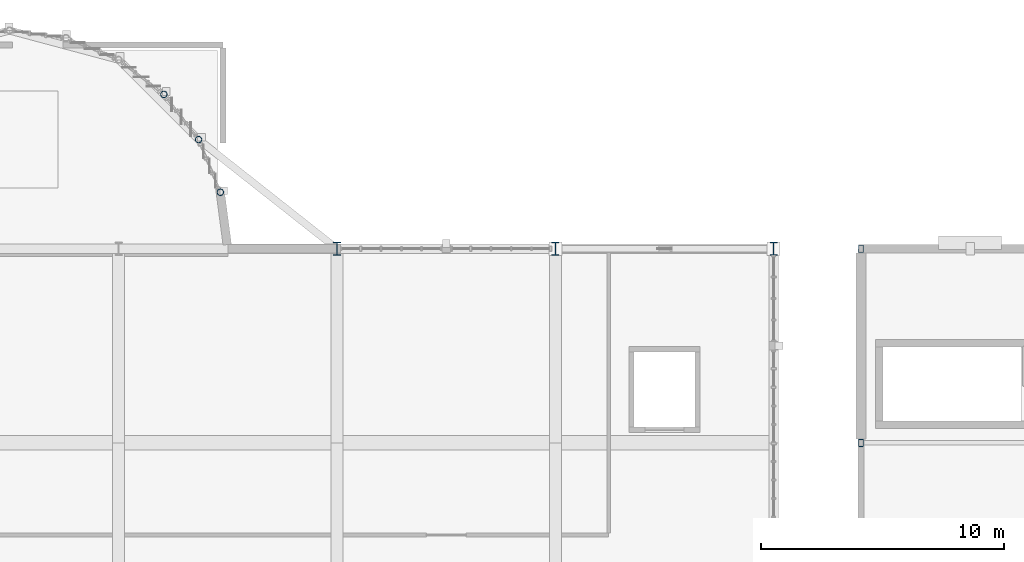
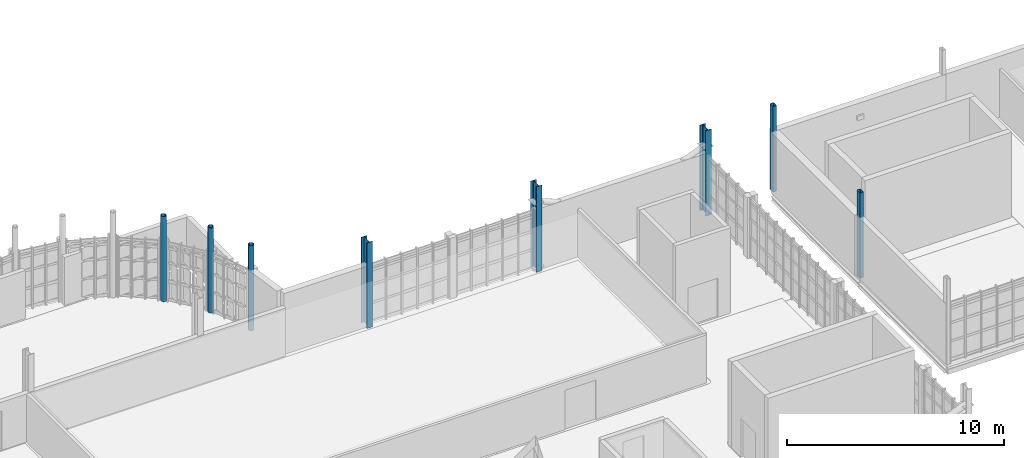
# One storey, part 7 of 128: 8 columns.
"""IFC4 building model written with IfcOpenShell, lengths in metres."""

from ifc_helpers import new_model, si_unit, direction, frame, origin, origin_2d, place, context, subcontext, project, spatial, hollow_rectangle, hollow_circle, i_section, extrude, material, material_profile, profile_set, type_object, element, save


model = new_model("IFC4")

# Units and contexts
model_context = context("Model", 3, precision=1e-05, world=origin(), true_north=direction((0.0, 1.0)))
body_context = subcontext(model_context, "Body", "Model", "MODEL_VIEW")
ifc_project = project(units=[si_unit("LENGTHUNIT", "METRE"), si_unit("AREAUNIT", "SQUARE_METRE"), si_unit("VOLUMEUNIT", "CUBIC_METRE"), si_unit("PLANEANGLEUNIT", "RADIAN"), si_unit("MASSUNIT", "GRAM", prefix="KILO")], contexts=[model_context])

# Site, building, storey
site_placement = place(None, origin())
site = spatial("IfcSite", under=ifc_project, at=site_placement, CompositionType="ELEMENT")
building_placement = place(site_placement, origin())
building = spatial("IfcBuilding", under=site, at=building_placement, Name="Serraforn Aerial Cableway Station", CompositionType="ELEMENT")
storey_placement = place(building_placement, frame((0.0, 0.0, 9.0)))
storey = spatial("IfcBuildingStorey", under=building, at=storey_placement, Name="L02", CompositionType="ELEMENT", Elevation=9.0)

# Columns
ifc_material = material(Name="Steel S355J2", Category="steel")
ifc_material_profile_1 = material_profile(ifc_material, hollow_circle(Radius=0.136474609375, WallThickness=0.012451171875, at=origin_2d()), Name="CHS 273.0x12.5")
ifc_profile_set_1 = profile_set([ifc_material_profile_1], Name="Steel S355J2")
column_type_1 = type_object("IfcColumnType", Name="COL-ST-CHS273", PredefinedType="COLUMN", material=ifc_profile_set_1)
for number, where, z_axis, x_axis, name in (
    (1, (65.464111328125, 48.364013671875, 0.0), (0.0, 0.0, 1.0), (1.0, 0.0, 0.0), "Apse Radial Column L02-9"),
    (2, (66.894287109375, 46.5, 0.0), (0.0, 0.0, 1.0), (1.0, 0.0, 0.0), "Apse Radial Column L02-10"),
    (3, (67.793212890625, 44.329345703125, 0.0), (0.0, 0.0, 1.0), (1.0, 0.0, 0.0), "Apse Radial Column L02-11"),
):
    element("IfcColumn", number, at=place(storey_placement, frame(where, z_axis=z_axis, x_axis=x_axis)), inside=storey, type_object=column_type_1, Name=name, PredefinedType="COLUMN", context=body_context, shape_type="SweptSolid", body=[
        extrude(hollow_circle(Radius=0.136474609375, WallThickness=0.012451171875, at=origin_2d()), origin(), (0.0, 0.0, 1.0), 4.800048828125),
    ])
ifc_material_profile_2 = material_profile(ifc_material, i_section(OverallWidth=0.300048828125, OverallDepth=0.550048828125, WebThickness=0.014892578125, FlangeThickness=0.029052734375, FilletRadius=0.027099609375, at=origin_2d()), Name="HEB 550")
ifc_profile_set_2 = profile_set([ifc_material_profile_2], Name="Steel S355J2")
column_type_2 = type_object("IfcColumnType", Name="COL-ST-HEB550", PredefinedType="COLUMN", material=ifc_profile_set_2)
for number, where, z_axis, x_axis, name in (
    (4, (72.60009765625, 42.0, 0.0), (0.0, 0.0, 1.0), (1.0, 0.0, 0.0), "Column CV L02 10-F"),
    (5, (81.60009765625, 42.0, 0.0), (0.0, 0.0, 1.0), (1.0, 0.0, 0.0), "Column CV L02 11-F"),
    (6, (90.60009765625, 42.0, 0.0), (0.0, 0.0, 1.0), (1.0, 0.0, 0.0), "Column CV L02 12-F"),
):
    element("IfcColumn", number, at=place(storey_placement, frame(where, z_axis=z_axis, x_axis=x_axis)), inside=storey, type_object=column_type_2, Name=name, PredefinedType="COLUMN", context=body_context, shape_type="SweptSolid", body=[
        extrude(i_section(OverallWidth=0.300048828125, OverallDepth=0.550048828125, WebThickness=0.014892578125, FlangeThickness=0.029052734375, FilletRadius=0.027099609375, at=origin_2d()), origin(), (0.0, 0.0, 1.0), 4.800048828125),
    ])
ifc_material_profile_3 = material_profile(ifc_material, hollow_rectangle(XDim=0.199951171875, YDim=0.300048828125, WallThickness=0.012451171875, InnerFilletRadius=0.012451171875, OuterFilletRadius=0.02490234375, at=origin_2d()), Name="RHS 300x200x12.5")
ifc_profile_set_3 = profile_set([ifc_material_profile_3], Name="Steel S355J2")
column_type_3 = type_object("IfcColumnType", Name="COL-ST-RHS300", PredefinedType="COLUMN", material=ifc_profile_set_3)
for number, where, z_axis, x_axis, name in (
    (7, (94.199951171875, 34.0, 0.0), (0.0, 0.0, 1.0), (1.0, 0.0, 0.0), "Column EL L02 13-D2"),
    (8, (94.199951171875, 42.0, 0.0), (0.0, 0.0, 1.0), (1.0, 0.0, 0.0), "Column EL L02 13-F"),
):
    element("IfcColumn", number, at=place(storey_placement, frame(where, z_axis=z_axis, x_axis=x_axis)), inside=storey, type_object=column_type_3, Name=name, PredefinedType="COLUMN", context=body_context, shape_type="SweptSolid", body=[
        extrude(hollow_rectangle(XDim=0.199951171875, YDim=0.300048828125, WallThickness=0.012451171875, InnerFilletRadius=0.012451171875, OuterFilletRadius=0.02490234375, at=origin_2d()), origin(), (0.0, 0.0, 1.0), 4.800048828125),
    ])

save(model, "model.ifc")
